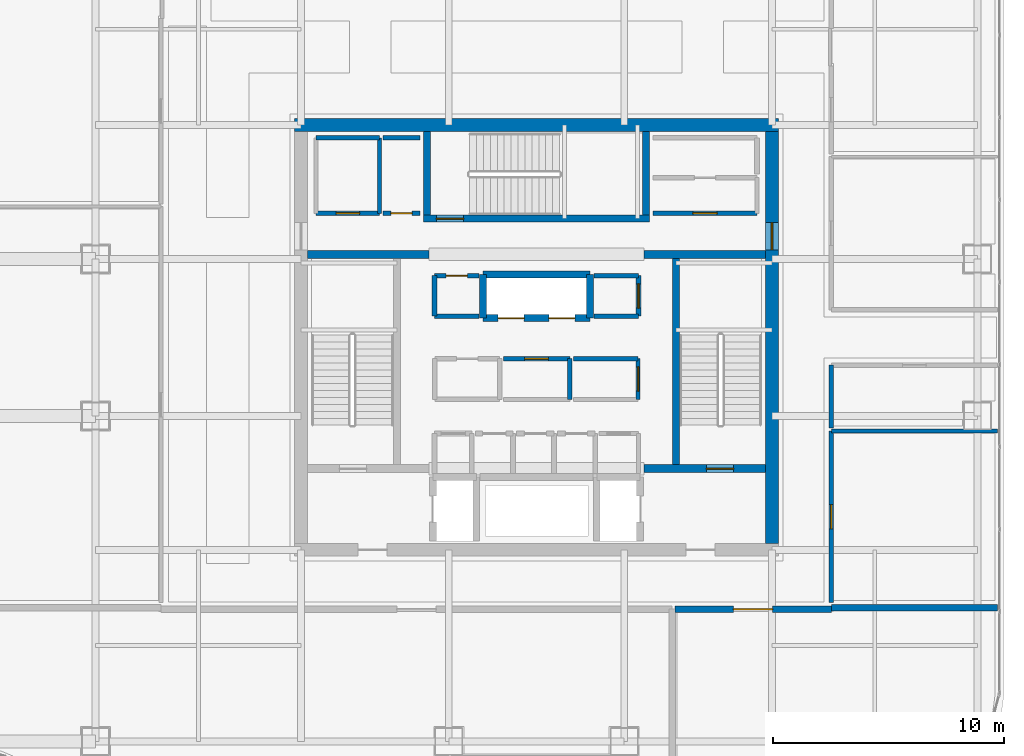
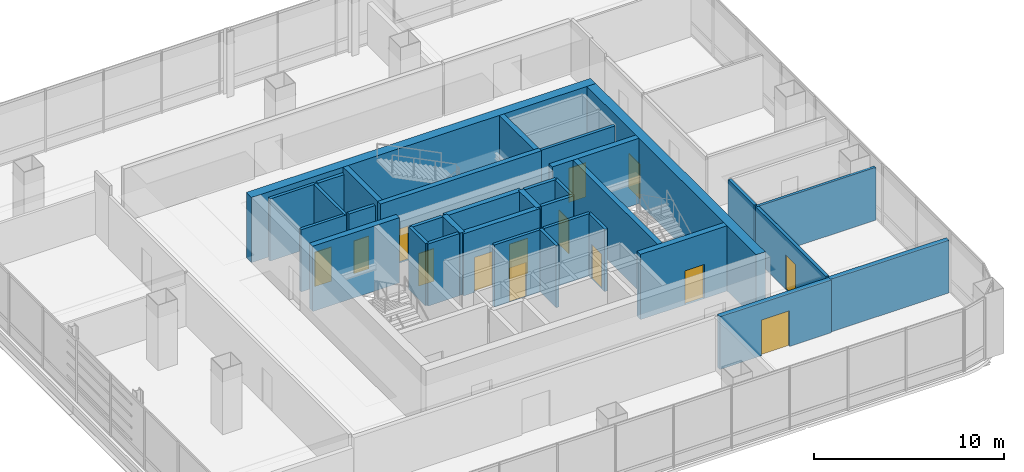
# One storey, part 35 of 42: 34 walls, 14 doors, 14 openings.
"""IFC4 building model written with IfcOpenShell, lengths in metres."""

from ifc_helpers import new_model, si_unit, direction, frame, frame_2d, origin, place, context, subcontext, project, spatial, rectangle, extrude, material, layer, layer_set, type_object, element, fill, save


model = new_model("IFC4")

# Units and contexts
model_context = context("Model", 3, precision=1e-05, world=origin(), true_north=direction((0.0, 1.0)))
body_context = subcontext(model_context, "Body", "Model", "MODEL_VIEW")
ifc_project = project(units=[si_unit("LENGTHUNIT", "METRE"), si_unit("AREAUNIT", "SQUARE_METRE"), si_unit("VOLUMEUNIT", "CUBIC_METRE"), si_unit("PLANEANGLEUNIT", "RADIAN"), si_unit("MASSUNIT", "GRAM", prefix="KILO")], contexts=[model_context])

# Site, building, storey
site_placement = place(None, origin())
site = spatial("IfcSite", under=ifc_project, at=site_placement, CompositionType="ELEMENT")
building_placement = place(site_placement, origin())
building = spatial("IfcBuilding", under=site, at=building_placement, Name="Punatoya Terracotta Tower", CompositionType="ELEMENT")
storey_placement = place(building_placement, frame((0.0, 0.0, 304.800048828125)))
storey = spatial("IfcBuildingStorey", under=building, at=storey_placement, Name="L72", CompositionType="ELEMENT", Elevation=304.800048828125)

# Wall
ifc_material_1 = material(Name="Concrete C40/50", Category="concrete")
ifc_layer_1 = layer(ifc_material_1, 0.280029296875)
ifc_layer_set_1 = layer_set([ifc_layer_1], Name="Concrete C40/50")
wall_type_1 = type_object("IfcWallType", Name="WL-AUD-280", PredefinedType="SOLIDWALL", material=ifc_layer_set_1)
wall_1_placement = place(storey_placement, frame((12.77001953125, -11.7099609375, 0.0), z_axis=(0.0, 0.0, 1.0), x_axis=(1.0, 0.0, 0.0)))
element("IfcWall", 1, at=wall_1_placement, inside=storey, type_object=wall_type_1, Name="L72 Open-Plan Executive Bistro Lounge Partition 42", PredefinedType="SOLIDWALL", context=body_context, shape_type="SweptSolid", body=[
    extrude(rectangle(XDim=7.199951171875, YDim=0.280029296875, at=frame_2d((3.60009765625, 0.0))), origin(), (0.0, 0.0, 1.0), 3.39404296875),
])

# Wall, opening, door
wall_2_placement = place(storey_placement, frame((5.993896484375, -11.77001953125, 0.0), z_axis=(0.0, 0.0, 1.0), x_axis=(1.0, 0.0, 0.0)))
wall_2 = element("IfcWall", 2, at=wall_2_placement, inside=storey, type_object=wall_type_1, Name="L72 Open-Plan Executive Bistro Lounge Partition 43", PredefinedType="SOLIDWALL", context=body_context, shape_type="SweptSolid", body=[
    extrude(rectangle(XDim=6.776123046875, YDim=0.280029296875, at=frame_2d((3.38818359375, 0.0))), origin(), (0.0, 0.0, 1.0), 3.39404296875),
])
opening_1_placement = place(wall_2_placement, frame((2.5380859375, 0.0, 0.0)))
opening_1 = element("IfcOpeningElement", 3, at=opening_1_placement, cuts=wall_2, Name="Opening FD-D1", PredefinedType="OPENING", context=body_context, shape_type="SweptSolid", body=[
    extrude(rectangle(XDim=1.699951171875, YDim=2.300048828125, at=frame_2d((0.85009765625, 1.14990234375))), frame((0.0, 0.14990234375, 0.0), z_axis=(0.0, -1.0, 0.0), x_axis=(1.0, 0.0, 0.0)), (0.0, 0.0, 1.0), 0.300048828125),
])
ifc_material_2 = material(Name="Timber Teak Veneer Fire Leaf", Category="wood")
door_type_1 = type_object("IfcDoorType", Name="DR-DIN-1700", OperationType="NOTDEFINED", PredefinedType="DOOR", material=ifc_material_2)
door_1_placement = place(opening_1_placement, origin())
door_1 = element("IfcDoor", 4, at=door_1_placement, inside=storey, type_object=door_type_1, Name="L72 Open-Plan Executive Bistro Lounge Fire Door", OperationType="DOUBLE_DOOR_SINGLE_SWING", OverallHeight=2.300048828125, OverallWidth=1.699951171875, PredefinedType="DOOR", context=body_context, shape_type="SweptSolid", body=[
    extrude(rectangle(XDim=1.699951171875, YDim=2.300048828125, at=frame_2d((0.85009765625, 1.14990234375))), frame((0.0, 0.02490234375, 0.0), z_axis=(0.0, -1.0, 0.0), x_axis=(1.0, 0.0, 0.0)), (0.0, 0.0, 1.0), 0.050048828125),
])
fill(opening_1, door_1)

# Wall
ifc_material_3 = material(Name="Concrete C50/60", Category="concrete")
ifc_layer_2 = layer(ifc_material_3, 0.550048828125)
ifc_layer_set_2 = layer_set([ifc_layer_2], Name="Concrete C50/60")
wall_type_2 = type_object("IfcWallType", Name="WL-COR-550", PredefinedType="SHEAR", material=ifc_layer_set_2)
wall_3_placement = place(storey_placement, frame((-10.47509765625, 9.199951171875, 0.0), z_axis=(0.0, 0.0, 1.0), x_axis=(1.0, 0.0, 0.0)))
element("IfcWall", 5, at=wall_3_placement, inside=storey, type_object=wall_type_2, Name="L72 Core Shear Wall N", PredefinedType="SHEAR", context=body_context, shape_type="SweptSolid", body=[
    extrude(rectangle(XDim=20.9501953125, YDim=0.550048828125, at=frame_2d((10.47509765625, 0.0))), origin(), (0.0, 0.0, 1.0), 4.199951171875),
])

# Wall, opening, door
wall_4_placement = place(storey_placement, frame((10.199951171875, 8.925048828125, 0.0), z_axis=(0.0, 0.0, 1.0), x_axis=(0.0, -1.0, 0.0)))
wall_4 = element("IfcWall", 6, at=wall_4_placement, inside=storey, type_object=wall_type_2, Name="L72 Core Shear Wall E", PredefinedType="SHEAR", context=body_context, shape_type="SweptSolid", body=[
    extrude(rectangle(XDim=17.85009765625, YDim=0.550048828125, at=frame_2d((8.925048828125, 0.0))), origin(), (0.0, 0.0, 1.0), 4.199951171875),
])
opening_2_placement = place(wall_4_placement, frame((3.955078125, 0.0, 0.0)))
opening_2 = element("IfcOpeningElement", 7, at=opening_2_placement, cuts=wall_4, Name="Opening SD-01", PredefinedType="OPENING", context=body_context, shape_type="SweptSolid", body=[
    extrude(rectangle(XDim=1.179931640625, YDim=2.199951171875, at=frame_2d((0.58984375, 1.10009765625))), frame((0.0, 0.284912109375, 0.0), z_axis=(0.0, -1.0, 0.0), x_axis=(1.0, 0.0, 0.0)), (0.0, 0.0, 1.0), 0.570068359375),
])
ifc_material_4 = material(Name="Galvanised Steel Pressurized Stair Fire Door", Category="steel")
door_type_2 = type_object("IfcDoorType", Name="DR-STR-1180", OperationType="NOTDEFINED", PredefinedType="DOOR", material=ifc_material_4)
door_2_placement = place(opening_2_placement, origin())
door_2 = element("IfcDoor", 8, at=door_2_placement, inside=storey, type_object=door_type_2, Name="L72 Central Lift Lobby East Fire Door", OperationType="SINGLE_SWING_RIGHT", OverallHeight=2.199951171875, OverallWidth=1.179931640625, PredefinedType="DOOR", context=body_context, shape_type="SweptSolid", body=[
    extrude(rectangle(XDim=1.179931640625, YDim=2.199951171875, at=frame_2d((0.58984375, 1.10009765625))), frame((0.0, 0.02490234375, 0.0), z_axis=(0.0, -1.0, 0.0), x_axis=(1.0, 0.0, 0.0)), (0.0, 0.0, 1.0), 0.050048828125),
])
fill(opening_2, door_2)

# Wall
ifc_material_5 = material(Name="Gypsum Fireboard + Steel Stud", Category="steel")
ifc_layer_3 = layer(ifc_material_5, 0.179931640625)
ifc_layer_set_3 = layer_set([ifc_layer_3], Name="Gypsum Fireboard + Steel Stud")
wall_type_3 = type_object("IfcWallType", Name="WL-CORR-180", PredefinedType="PARTITIONING", material=ifc_layer_set_3)
wall_5_placement = place(storey_placement, frame((1.43994140625, -2.679931640625, 0.0), z_axis=(0.0, 0.0, 1.0), x_axis=(0.0, 1.0, 0.0)))
element("IfcWall", 9, at=wall_5_placement, inside=storey, type_object=wall_type_3, Name="L72 Center Core Briefing Pod Partition 16", PredefinedType="PARTITIONING", context=body_context, shape_type="SweptSolid", body=[
    extrude(rectangle(XDim=1.760009765625, YDim=0.179931640625, at=frame_2d((0.8798828125, 0.0))), origin(), (0.0, 0.0, 1.0), 4.0),
])

# Wall, opening, door
wall_6_placement = place(storey_placement, frame((1.43994140625, -0.919921875, 0.0), z_axis=(0.0, 0.0, 1.0), x_axis=(-1.0, 0.0, 0.0)))
wall_6 = element("IfcWall", 10, at=wall_6_placement, inside=storey, type_object=wall_type_3, Name="L72 Center Core Briefing Pod Partition 17", PredefinedType="PARTITIONING", context=body_context, shape_type="SweptSolid", body=[
    extrude(rectangle(XDim=2.8798828125, YDim=0.179931640625, at=frame_2d((1.43994140625, 0.0))), origin(), (0.0, 0.0, 1.0), 4.0),
])
opening_3_placement = place(wall_6_placement, frame((0.929931640625, 0.0, 0.0)))
opening_3 = element("IfcOpeningElement", 11, at=opening_3_placement, cuts=wall_6, Name="Opening MD-01", PredefinedType="OPENING", context=body_context, shape_type="SweptSolid", body=[
    extrude(rectangle(XDim=1.02001953125, YDim=2.199951171875, at=frame_2d((0.510009765625, 1.10009765625))), frame((0.0, 0.099853515625, 0.0), z_axis=(0.0, -1.0, 0.0), x_axis=(1.0, 0.0, 0.0)), (0.0, 0.0, 1.0), 0.199951171875),
])
ifc_material_6 = material(Name="Aluminium + Acoustic Glass Leaf", Category="aluminium")
door_type_3 = type_object("IfcDoorType", Name="DR-MTG-1020", OperationType="NOTDEFINED", PredefinedType="DOOR", material=ifc_material_6)
door_3_placement = place(opening_3_placement, origin())
door_3 = element("IfcDoor", 12, at=door_3_placement, inside=storey, type_object=door_type_3, Name="L72 Center Briefing Pod Door", OperationType="SINGLE_SWING_RIGHT", OverallHeight=2.199951171875, OverallWidth=1.02001953125, PredefinedType="DOOR", context=body_context, shape_type="SweptSolid", body=[
    extrude(rectangle(XDim=1.02001953125, YDim=2.199951171875, at=frame_2d((0.510009765625, 1.10009765625))), frame((0.0, 0.02490234375, 0.0), z_axis=(0.0, -1.0, 0.0), x_axis=(1.0, 0.0, 0.0)), (0.0, 0.0, 1.0), 0.050048828125),
])
fill(opening_3, door_3)

wall_7_placement = place(storey_placement, frame((4.39990234375, -2.679931640625, 0.0), z_axis=(0.0, 0.0, 1.0), x_axis=(0.0, 1.0, 0.0)))
wall_7 = element("IfcWall", 13, at=wall_7_placement, inside=storey, type_object=wall_type_3, Name="L72 Right Core Copy Room Partition 19", PredefinedType="PARTITIONING", context=body_context, shape_type="SweptSolid", body=[
    extrude(rectangle(XDim=1.760009765625, YDim=0.179931640625, at=frame_2d((0.8798828125, 0.0))), origin(), (0.0, 0.0, 1.0), 4.0),
])
opening_4_placement = place(wall_7_placement, frame((0.35498046875, 0.0, 0.0)))
opening_4 = element("IfcOpeningElement", 14, at=opening_4_placement, cuts=wall_7, Name="Opening OD-01", PredefinedType="OPENING", context=body_context, shape_type="SweptSolid", body=[
    extrude(rectangle(XDim=1.050048828125, YDim=2.199951171875, at=frame_2d((0.52490234375, 1.10009765625))), frame((0.0, 0.099853515625, 0.0), z_axis=(0.0, -1.0, 0.0), x_axis=(1.0, 0.0, 0.0)), (0.0, 0.0, 1.0), 0.199951171875),
])
ifc_material_7 = material(Name="Bengal Teak Solid-Core Leaf")
door_type_4 = type_object("IfcDoorType", Name="DR-OFF-1050", OperationType="NOTDEFINED", PredefinedType="DOOR", material=ifc_material_7)
door_4_placement = place(opening_4_placement, origin())
door_4 = element("IfcDoor", 15, at=door_4_placement, inside=storey, type_object=door_type_4, Name="L72 Right Copy Room Door", OperationType="SINGLE_SWING_LEFT", OverallHeight=2.199951171875, OverallWidth=1.050048828125, PredefinedType="DOOR", context=body_context, shape_type="SweptSolid", body=[
    extrude(rectangle(XDim=1.050048828125, YDim=2.199951171875, at=frame_2d((0.52490234375, 1.10009765625))), frame((0.0, 0.02490234375, 0.0), z_axis=(0.0, -1.0, 0.0), x_axis=(1.0, 0.0, 0.0)), (0.0, 0.0, 1.0), 0.050048828125),
])
fill(opening_4, door_4)

# Walls
wall_8_placement = place(storey_placement, frame((4.39990234375, -0.919921875, 0.0), z_axis=(0.0, 0.0, 1.0), x_axis=(-1.0, 0.0, 0.0)))
element("IfcWall", 16, at=wall_8_placement, inside=storey, type_object=wall_type_3, Name="L72 Right Core Copy Room Partition 20", PredefinedType="PARTITIONING", context=body_context, shape_type="SweptSolid", body=[
    extrude(rectangle(XDim=2.7998046875, YDim=0.179931640625, at=frame_2d((1.39990234375, 0.0))), origin(), (0.0, 0.0, 1.0), 4.0),
])
wall_9_placement = place(storey_placement, frame((-6.800048828125, 5.3798828125, 0.0), z_axis=(0.0, 0.0, 1.0), x_axis=(0.0, 1.0, 0.0)))
element("IfcWall", 17, at=wall_9_placement, inside=storey, type_object=wall_type_3, Name="L72 West Core Briefing Pod Partition 28", PredefinedType="PARTITIONING", context=body_context, shape_type="SweptSolid", body=[
    extrude(rectangle(XDim=3.27001953125, YDim=0.179931640625, at=frame_2d((1.635009765625, 0.0))), origin(), (0.0, 0.0, 1.0), 4.0),
])
wall_10_placement = place(storey_placement, frame((-6.800048828125, 8.64990234375, 0.0), z_axis=(0.0, 0.0, 1.0), x_axis=(-1.0, 0.0, 0.0)))
element("IfcWall", 18, at=wall_10_placement, inside=storey, type_object=wall_type_3, Name="L72 West Core Briefing Pod Partition 29", PredefinedType="PARTITIONING", context=body_context, shape_type="SweptSolid", body=[
    extrude(rectangle(XDim=2.75, YDim=0.179931640625, at=frame_2d((1.375, 0.0))), origin(), (0.0, 0.0, 1.0), 4.0),
])

# Wall, opening, door
wall_11_placement = place(storey_placement, frame((-9.550048828125, 5.3798828125, 0.0), z_axis=(0.0, 0.0, 1.0), x_axis=(1.0, 0.0, 0.0)))
wall_11 = element("IfcWall", 19, at=wall_11_placement, inside=storey, type_object=wall_type_3, Name="L72 West Core Briefing Pod Partition 31", PredefinedType="PARTITIONING", context=body_context, shape_type="SweptSolid", body=[
    extrude(rectangle(XDim=2.75, YDim=0.179931640625, at=frame_2d((1.375, 0.0))), origin(), (0.0, 0.0, 1.0), 4.0),
])
opening_5_placement = place(wall_11_placement, frame((0.864990234375, 0.0, 0.0)))
opening_5 = element("IfcOpeningElement", 20, at=opening_5_placement, cuts=wall_11, Name="Opening MD-01", PredefinedType="OPENING", context=body_context, shape_type="SweptSolid", body=[
    extrude(rectangle(XDim=1.02001953125, YDim=2.199951171875, at=frame_2d((0.510009765625, 1.10009765625))), frame((0.0, 0.099853515625, 0.0), z_axis=(0.0, -1.0, 0.0), x_axis=(1.0, 0.0, 0.0)), (0.0, 0.0, 1.0), 0.199951171875),
])
door_5_placement = place(opening_5_placement, origin())
door_5 = element("IfcDoor", 21, at=door_5_placement, inside=storey, type_object=door_type_3, Name="L72 West Briefing Pod Door", OperationType="SINGLE_SWING_RIGHT", OverallHeight=2.199951171875, OverallWidth=1.02001953125, PredefinedType="DOOR", context=body_context, shape_type="SweptSolid", body=[
    extrude(rectangle(XDim=1.02001953125, YDim=2.199951171875, at=frame_2d((0.510009765625, 1.10009765625))), frame((0.0, 0.02490234375, 0.0), z_axis=(0.0, -1.0, 0.0), x_axis=(1.0, 0.0, 0.0)), (0.0, 0.0, 1.0), 0.050048828125),
])
fill(opening_5, door_5)

wall_12_placement = place(storey_placement, frame((5.050048828125, 5.3798828125, 0.0), z_axis=(0.0, 0.0, 1.0), x_axis=(1.0, 0.0, 0.0)))
wall_12 = element("IfcWall", 22, at=wall_12_placement, inside=storey, type_object=wall_type_3, Name="L72 East Core Reference Room Partition 36", PredefinedType="PARTITIONING", context=body_context, shape_type="SweptSolid", body=[
    extrude(rectangle(XDim=4.5, YDim=0.179931640625, at=frame_2d((2.25, 0.0))), origin(), (0.0, 0.0, 1.0), 4.0),
])
opening_6_placement = place(wall_12_placement, frame((1.72509765625, 0.0, 0.0)))
opening_6 = element("IfcOpeningElement", 23, at=opening_6_placement, cuts=wall_12, Name="Opening OD-01", PredefinedType="OPENING", context=body_context, shape_type="SweptSolid", body=[
    extrude(rectangle(XDim=1.050048828125, YDim=2.199951171875, at=frame_2d((0.52490234375, 1.10009765625))), frame((0.0, 0.099853515625, 0.0), z_axis=(0.0, -1.0, 0.0), x_axis=(1.0, 0.0, 0.0)), (0.0, 0.0, 1.0), 0.199951171875),
])
door_6_placement = place(opening_6_placement, origin())
door_6 = element("IfcDoor", 24, at=door_6_placement, inside=storey, type_object=door_type_4, Name="L72 East Reference Room Door", OperationType="SINGLE_SWING_RIGHT", OverallHeight=2.199951171875, OverallWidth=1.050048828125, PredefinedType="DOOR", context=body_context, shape_type="SweptSolid", body=[
    extrude(rectangle(XDim=1.050048828125, YDim=2.199951171875, at=frame_2d((0.52490234375, 1.10009765625))), frame((0.0, 0.02490234375, 0.0), z_axis=(0.0, -1.0, 0.0), x_axis=(1.0, 0.0, 0.0)), (0.0, 0.0, 1.0), 0.050048828125),
])
fill(opening_6, door_6)

wall_13_placement = place(storey_placement, frame((12.77001953125, -11.489990234375, 0.0), z_axis=(0.0, 0.0, 1.0), x_axis=(0.0, 1.0, 0.0)))
wall_13 = element("IfcWall", 25, at=wall_13_placement, inside=storey, type_object=wall_type_3, Name="L72 Catering Tea Pantry Partition 45", PredefinedType="PARTITIONING", context=body_context, shape_type="SweptSolid", body=[
    extrude(rectangle(XDim=7.43994140625, YDim=0.179931640625, at=frame_2d((3.719970703125, 0.0))), origin(), (0.0, 0.0, 1.0), 3.39404296875),
])
opening_7_placement = place(wall_13_placement, frame((3.195068359375, 0.0, 0.0)))
opening_7 = element("IfcOpeningElement", 26, at=opening_7_placement, cuts=wall_13, Name="Opening OD-01", PredefinedType="OPENING", context=body_context, shape_type="SweptSolid", body=[
    extrude(rectangle(XDim=1.050048828125, YDim=2.199951171875, at=frame_2d((0.52490234375, 1.10009765625))), frame((0.0, 0.099853515625, 0.0), z_axis=(0.0, -1.0, 0.0), x_axis=(1.0, 0.0, 0.0)), (0.0, 0.0, 1.0), 0.199951171875),
])
door_7_placement = place(opening_7_placement, origin())
door_7 = element("IfcDoor", 27, at=door_7_placement, inside=storey, type_object=door_type_4, Name="L72 Catering Tea Pantry Door", OperationType="SINGLE_SWING_RIGHT", OverallHeight=2.199951171875, OverallWidth=1.050048828125, PredefinedType="DOOR", context=body_context, shape_type="SweptSolid", body=[
    extrude(rectangle(XDim=1.050048828125, YDim=2.199951171875, at=frame_2d((0.52490234375, 1.10009765625))), frame((0.0, 0.02490234375, 0.0), z_axis=(0.0, -1.0, 0.0), x_axis=(1.0, 0.0, 0.0)), (0.0, 0.0, 1.0), 0.050048828125),
])
fill(opening_7, door_7)

# Wall
wall_14_placement = place(storey_placement, frame((12.77001953125, -3.929931640625, 0.0), z_axis=(0.0, 0.0, 1.0), x_axis=(0.0, 1.0, 0.0)))
element("IfcWall", 28, at=wall_14_placement, inside=storey, type_object=wall_type_3, Name="L72 Open-Plan Private Dining Boardroom Partition 49", PredefinedType="PARTITIONING", context=body_context, shape_type="SweptSolid", body=[
    extrude(rectangle(XDim=2.72998046875, YDim=0.179931640625, at=frame_2d((1.364990234375, 0.0))), origin(), (0.0, 0.0, 1.0), 3.39404296875),
])

# Wall, opening, door
ifc_layer_4 = layer(ifc_material_1, 0.199951171875)
ifc_layer_set_4 = layer_set([ifc_layer_4], Name="Concrete C40/50")
wall_type_4 = type_object("IfcWallType", Name="WL-INT-200", PredefinedType="SOLIDWALL", material=ifc_layer_set_4)
wall_15_placement = place(storey_placement, frame((-2.5, 2.679931640625, 0.0), z_axis=(0.0, 0.0, 1.0), x_axis=(-1.0, 0.0, 0.0)))
wall_15 = element("IfcWall", 29, at=wall_15_placement, inside=storey, type_object=wall_type_4, Name="L72 Core Security Equipment Closet Partition 22", PredefinedType="SOLIDWALL", context=body_context, shape_type="SweptSolid", body=[
    extrude(rectangle(XDim=1.919921875, YDim=0.199951171875, at=frame_2d((0.9599609375, 0.0))), origin(), (0.0, 0.0, 1.0), 4.0),
])
opening_8_placement = place(wall_15_placement, frame((0.5, 0.0, 0.0)))
opening_8 = element("IfcOpeningElement", 30, at=opening_8_placement, cuts=wall_15, Name="Opening FD-R1", PredefinedType="OPENING", context=body_context, shape_type="SweptSolid", body=[
    extrude(rectangle(XDim=0.919921875, YDim=2.10009765625, at=frame_2d((0.4599609375, 1.050048828125))), frame((0.0, 0.10986328125, 0.0), z_axis=(0.0, -1.0, 0.0), x_axis=(1.0, 0.0, 0.0)), (0.0, 0.0, 1.0), 0.219970703125),
])
ifc_material_8 = material(Name="Galvanised Steel Riser Fire Access Door", Category="steel")
door_type_5 = type_object("IfcDoorType", Name="DR-RSR-920", OperationType="NOTDEFINED", PredefinedType="DOOR", material=ifc_material_8)
door_8_placement = place(opening_8_placement, origin())
door_8 = element("IfcDoor", 31, at=door_8_placement, inside=storey, type_object=door_type_5, Name="L72 Core Security Equipment Closet Fire Door", OperationType="SINGLE_SWING_RIGHT", OverallHeight=2.10009765625, OverallWidth=0.919921875, PredefinedType="DOOR", context=body_context, shape_type="SweptSolid", body=[
    extrude(rectangle(XDim=0.919921875, YDim=2.10009765625, at=frame_2d((0.4599609375, 1.050048828125))), frame((0.0, 0.02490234375, 0.0), z_axis=(0.0, -1.0, 0.0), x_axis=(1.0, 0.0, 0.0)), (0.0, 0.0, 1.0), 0.050048828125),
])
fill(opening_8, door_8)

# Walls
wall_16_placement = place(storey_placement, frame((-4.419921875, 2.679931640625, 0.0), z_axis=(0.0, 0.0, 1.0), x_axis=(0.0, -1.0, 0.0)))
element("IfcWall", 32, at=wall_16_placement, inside=storey, type_object=wall_type_4, Name="L72 Core Security Equipment Closet Partition 23", PredefinedType="SOLIDWALL", context=body_context, shape_type="SweptSolid", body=[
    extrude(rectangle(XDim=1.760009765625, YDim=0.199951171875, at=frame_2d((0.8798828125, 0.0))), origin(), (0.0, 0.0, 1.0), 4.0),
])
wall_17_placement = place(storey_placement, frame((-4.419921875, 0.919921875, 0.0), z_axis=(0.0, 0.0, 1.0), x_axis=(1.0, 0.0, 0.0)))
element("IfcWall", 33, at=wall_17_placement, inside=storey, type_object=wall_type_4, Name="L72 Core Security Equipment Closet Partition 24", PredefinedType="SOLIDWALL", context=body_context, shape_type="SweptSolid", body=[
    extrude(rectangle(XDim=1.919921875, YDim=0.199951171875, at=frame_2d((0.9599609375, 0.0))), origin(), (0.0, 0.0, 1.0), 4.0),
])

# Wall, opening, door
wall_18_placement = place(storey_placement, frame((4.419921875, 0.919921875, 0.0), z_axis=(0.0, 0.0, 1.0), x_axis=(0.0, 1.0, 0.0)))
wall_18 = element("IfcWall", 34, at=wall_18_placement, inside=storey, type_object=wall_type_4, Name="L72 Executive Steward Pantry Partition 25", PredefinedType="SOLIDWALL", context=body_context, shape_type="SweptSolid", body=[
    extrude(rectangle(XDim=1.760009765625, YDim=0.199951171875, at=frame_2d((0.8798828125, 0.0))), origin(), (0.0, 0.0, 1.0), 4.0),
])
opening_9_placement = place(wall_18_placement, frame((0.35498046875, 0.0, 0.0)))
opening_9 = element("IfcOpeningElement", 35, at=opening_9_placement, cuts=wall_18, Name="Opening OD-01", PredefinedType="OPENING", context=body_context, shape_type="SweptSolid", body=[
    extrude(rectangle(XDim=1.050048828125, YDim=2.199951171875, at=frame_2d((0.52490234375, 1.10009765625))), frame((0.0, 0.10986328125, 0.0), z_axis=(0.0, -1.0, 0.0), x_axis=(1.0, 0.0, 0.0)), (0.0, 0.0, 1.0), 0.219970703125),
])
door_9_placement = place(opening_9_placement, origin())
door_9 = element("IfcDoor", 36, at=door_9_placement, inside=storey, type_object=door_type_4, Name="L72 Executive Steward Pantry Door", OperationType="SINGLE_SWING_LEFT", OverallHeight=2.199951171875, OverallWidth=1.050048828125, PredefinedType="DOOR", context=body_context, shape_type="SweptSolid", body=[
    extrude(rectangle(XDim=1.050048828125, YDim=2.199951171875, at=frame_2d((0.52490234375, 1.10009765625))), frame((0.0, 0.02490234375, 0.0), z_axis=(0.0, -1.0, 0.0), x_axis=(1.0, 0.0, 0.0)), (0.0, 0.0, 1.0), 0.050048828125),
])
fill(opening_9, door_9)

# Walls
for number, where, z_axis, x_axis, name in (
    (37, (4.419921875, 2.679931640625, 0.0), (0.0, 0.0, 1.0), (-1.0, 0.0, 0.0), "L72 Executive Steward Pantry Partition 26"),
    (38, (2.5, 0.919921875, 0.0), (0.0, 0.0, 1.0), (1.0, 0.0, 0.0), "L72 Executive Steward Pantry Partition 27"),
):
    element("IfcWall", number, at=place(storey_placement, frame(where, z_axis=z_axis, x_axis=x_axis)), inside=storey, type_object=wall_type_4, Name=name, PredefinedType="SOLIDWALL", context=body_context, shape_type="SweptSolid", body=[
        extrude(rectangle(XDim=1.919921875, YDim=0.199951171875, at=frame_2d((0.9599609375, 0.0))), origin(), (0.0, 0.0, 1.0), 4.0),
    ])
wall_19_placement = place(storey_placement, frame((-5.050048828125, 8.64990234375, 0.0), z_axis=(0.0, 0.0, 1.0), x_axis=(-1.0, 0.0, 0.0)))
element("IfcWall", 39, at=wall_19_placement, inside=storey, type_object=wall_type_4, Name="L72 West Core Supply Store Partition 32", PredefinedType="SOLIDWALL", context=body_context, shape_type="SweptSolid", body=[
    extrude(rectangle(XDim=1.58984375, YDim=0.199951171875, at=frame_2d((0.794921875, 0.0))), origin(), (0.0, 0.0, 1.0), 4.0),
])

# Wall, opening, door
wall_20_placement = place(storey_placement, frame((-6.639892578125, 5.3798828125, 0.0), z_axis=(0.0, 0.0, 1.0), x_axis=(1.0, 0.0, 0.0)))
wall_20 = element("IfcWall", 40, at=wall_20_placement, inside=storey, type_object=wall_type_4, Name="L72 West Core Supply Store Partition 33", PredefinedType="SOLIDWALL", context=body_context, shape_type="SweptSolid", body=[
    extrude(rectangle(XDim=1.58984375, YDim=0.199951171875, at=frame_2d((0.794921875, 0.0))), origin(), (0.0, 0.0, 1.0), 4.0),
])
opening_10_placement = place(wall_20_placement, frame((0.3349609375, 0.0, 0.0)))
opening_10 = element("IfcOpeningElement", 41, at=opening_10_placement, cuts=wall_20, Name="Opening FD-R1", PredefinedType="OPENING", context=body_context, shape_type="SweptSolid", body=[
    extrude(rectangle(XDim=0.919921875, YDim=2.10009765625, at=frame_2d((0.4599609375, 1.050048828125))), frame((0.0, 0.10986328125, 0.0), z_axis=(0.0, -1.0, 0.0), x_axis=(1.0, 0.0, 0.0)), (0.0, 0.0, 1.0), 0.219970703125),
])
door_10_placement = place(opening_10_placement, origin())
door_10 = element("IfcDoor", 42, at=door_10_placement, inside=storey, type_object=door_type_5, Name="L72 West Core Supply Store Fire Door", OperationType="SINGLE_SWING_LEFT", OverallHeight=2.10009765625, OverallWidth=0.919921875, PredefinedType="DOOR", context=body_context, shape_type="SweptSolid", body=[
    extrude(rectangle(XDim=0.919921875, YDim=2.10009765625, at=frame_2d((0.4599609375, 1.050048828125))), frame((0.0, 0.02490234375, 0.0), z_axis=(0.0, -1.0, 0.0), x_axis=(1.0, 0.0, 0.0)), (0.0, 0.0, 1.0), 0.050048828125),
])
fill(opening_10, door_10)

# Walls
ifc_layer_5 = layer(ifc_material_1, 0.300048828125)
ifc_layer_set_5 = layer_set([ifc_layer_5], Name="Concrete C40/50")
wall_type_5 = type_object("IfcWallType", Name="WL-SHF-300", PredefinedType="SOLIDWALL", material=ifc_layer_set_5)
wall_21_placement = place(storey_placement, frame((6.050048828125, 3.449951171875, 0.0), z_axis=(0.0, 0.0, 1.0), x_axis=(0.0, -1.0, 0.0)))
element("IfcWall", 43, at=wall_21_placement, inside=storey, type_object=wall_type_5, Name="L72 Structural Stair Shaft Wall SW-ST2-W", PredefinedType="SOLIDWALL", context=body_context, shape_type="SweptSolid", body=[
    extrude(rectangle(XDim=8.949951171875, YDim=0.300048828125, at=frame_2d((4.47509765625, 0.0))), origin(), (0.0, 0.0, 1.0), 4.199951171875),
])
for number, where, z_axis, x_axis, name in (
    (44, (-4.75, 5.300048828125, 0.0), (0.0, 0.0, 1.0), (0.0, 1.0, 0.0), "L72 Structural Stair Shaft Wall SW-ST3-W"),
    (45, (4.75, 8.925048828125, 0.0), (0.0, 0.0, 1.0), (0.0, -1.0, 0.0), "L72 Structural Stair Shaft Wall SW-ST3-E"),
):
    element("IfcWall", number, at=place(storey_placement, frame(where, z_axis=z_axis, x_axis=x_axis)), inside=storey, type_object=wall_type_5, Name=name, PredefinedType="SOLIDWALL", context=body_context, shape_type="SweptSolid", body=[
        extrude(rectangle(XDim=3.625, YDim=0.300048828125, at=frame_2d((1.8125, 0.0))), origin(), (0.0, 0.0, 1.0), 4.199951171875),
    ])

# Wall, opening, door
wall_22_placement = place(storey_placement, frame((-4.89990234375, 5.14990234375, 0.0), z_axis=(0.0, 0.0, 1.0), x_axis=(1.0, 0.0, 0.0)))
wall_22 = element("IfcWall", 46, at=wall_22_placement, inside=storey, type_object=wall_type_5, Name="L72 Structural Stair Shaft Wall SW-ST3-S", PredefinedType="SOLIDWALL", context=body_context, shape_type="SweptSolid", body=[
    extrude(rectangle(XDim=9.7998046875, YDim=0.300048828125, at=frame_2d((4.89990234375, 0.0))), origin(), (0.0, 0.0, 1.0), 4.199951171875),
])
opening_11_placement = place(wall_22_placement, frame((0.56005859375, 0.0, 0.0)))
opening_11 = element("IfcOpeningElement", 47, at=opening_11_placement, cuts=wall_22, Name="Opening SD-01", PredefinedType="OPENING", context=body_context, shape_type="SweptSolid", body=[
    extrude(rectangle(XDim=1.179931640625, YDim=2.199951171875, at=frame_2d((0.58984375, 1.10009765625))), frame((0.0, 0.159912109375, 0.0), z_axis=(0.0, -1.0, 0.0), x_axis=(1.0, 0.0, 0.0)), (0.0, 0.0, 1.0), 0.320068359375),
])
door_11_placement = place(opening_11_placement, origin())
door_11 = element("IfcDoor", 48, at=door_11_placement, inside=storey, type_object=door_type_2, Name="L72 Stair ST-3 Core Lobby Fire Door", OperationType="SINGLE_SWING_LEFT", OverallHeight=2.199951171875, OverallWidth=1.179931640625, PredefinedType="DOOR", context=body_context, shape_type="SweptSolid", body=[
    extrude(rectangle(XDim=1.179931640625, YDim=2.199951171875, at=frame_2d((0.58984375, 1.10009765625))), frame((0.0, 0.02490234375, 0.0), z_axis=(0.0, -1.0, 0.0), x_axis=(1.0, 0.0, 0.0)), (0.0, 0.0, 1.0), 0.050048828125),
])
fill(opening_11, door_11)

# Wall, openings, doors
wall_23_placement = place(storey_placement, frame((-2.320068359375, 0.840087890625, 0.0), z_axis=(0.0, 0.0, 1.0), x_axis=(1.0, 0.0, 0.0)))
wall_23 = element("IfcWall", 49, at=wall_23_placement, inside=storey, type_object=wall_type_5, Name="L72 North Lift Bank Front Shaft Wall", PredefinedType="SOLIDWALL", context=body_context, shape_type="SweptSolid", body=[
    extrude(rectangle(XDim=4.64013671875, YDim=0.300048828125, at=frame_2d((2.320068359375, 0.0))), origin(), (0.0, 0.0, 1.0), 4.0),
])
opening_12_placement = place(wall_23_placement, frame((0.659912109375, 0.0, 0.0)))
opening_12 = element("IfcOpeningElement", 50, at=opening_12_placement, cuts=wall_23, Name="Opening LD-02", PredefinedType="OPENING", context=body_context, shape_type="SweptSolid", body=[
    extrude(rectangle(XDim=1.1201171875, YDim=2.25, at=frame_2d((0.56005859375, 1.125))), frame((0.0, 0.159912109375, 0.0), z_axis=(0.0, -1.0, 0.0), x_axis=(1.0, 0.0, 0.0)), (0.0, 0.0, 1.0), 0.320068359375),
])
opening_13_placement = place(wall_23_placement, frame((2.860107421875, 0.0, 0.0)))
opening_13 = element("IfcOpeningElement", 51, at=opening_13_placement, cuts=wall_23, Name="Opening LD-02", PredefinedType="OPENING", context=body_context, shape_type="SweptSolid", body=[
    extrude(rectangle(XDim=1.1201171875, YDim=2.25, at=frame_2d((0.56005859375, 1.125))), frame((0.0, 0.159912109375, 0.0), z_axis=(0.0, -1.0, 0.0), x_axis=(1.0, 0.0, 0.0)), (0.0, 0.0, 1.0), 0.320068359375),
])
ifc_material_9 = material(Name="Stainless Steel Lift Landing Door", Category="steel")
door_type_6 = type_object("IfcDoorType", Name="DR-LND-1120", OperationType="NOTDEFINED", PredefinedType="DOOR", material=ifc_material_9)
door_12_placement = place(opening_12_placement, origin())
door_12 = element("IfcDoor", 52, at=door_12_placement, inside=storey, type_object=door_type_6, Name="L72 Lift PL-E1 Sliding Landing Door", OperationType="DOUBLE_DOOR_SLIDING", OverallHeight=2.25, OverallWidth=1.1201171875, PredefinedType="DOOR", context=body_context, shape_type="SweptSolid", body=[
    extrude(rectangle(XDim=1.1201171875, YDim=2.25, at=frame_2d((0.56005859375, 1.125))), frame((0.0, 0.02490234375, 0.0), z_axis=(0.0, -1.0, 0.0), x_axis=(1.0, 0.0, 0.0)), (0.0, 0.0, 1.0), 0.050048828125),
])
fill(opening_12, door_12)
door_13_placement = place(opening_13_placement, origin())
door_13 = element("IfcDoor", 53, at=door_13_placement, inside=storey, type_object=door_type_6, Name="L72 Lift PL-E2 Sliding Landing Door", OperationType="DOUBLE_DOOR_SLIDING", OverallHeight=2.25, OverallWidth=1.1201171875, PredefinedType="DOOR", context=body_context, shape_type="SweptSolid", body=[
    extrude(rectangle(XDim=1.1201171875, YDim=2.25, at=frame_2d((0.56005859375, 1.125))), frame((0.0, 0.02490234375, 0.0), z_axis=(0.0, -1.0, 0.0), x_axis=(1.0, 0.0, 0.0)), (0.0, 0.0, 1.0), 0.050048828125),
])
fill(opening_13, door_13)

# Walls
wall_24_placement = place(storey_placement, frame((-2.320068359375, 2.719970703125, 0.0), z_axis=(0.0, 0.0, 1.0), x_axis=(1.0, 0.0, 0.0)))
element("IfcWall", 54, at=wall_24_placement, inside=storey, type_object=wall_type_5, Name="L72 North Lift Bank Rear Shaft Wall", PredefinedType="SOLIDWALL", context=body_context, shape_type="SweptSolid", body=[
    extrude(rectangle(XDim=4.64013671875, YDim=0.300048828125, at=frame_2d((2.320068359375, 0.0))), origin(), (0.0, 0.0, 1.0), 4.0),
])
for number, where, z_axis, x_axis, name in (
    (55, (-2.320068359375, 0.840087890625, 0.0), (0.0, 0.0, 1.0), (0.0, 1.0, 0.0), "L72 North Lift Bank West End Wall"),
    (56, (2.320068359375, 0.840087890625, 0.0), (0.0, 0.0, 1.0), (0.0, 1.0, 0.0), "L72 North Lift Bank East End Wall"),
):
    element("IfcWall", number, at=place(storey_placement, frame(where, z_axis=z_axis, x_axis=x_axis)), inside=storey, type_object=wall_type_5, Name=name, PredefinedType="SOLIDWALL", context=body_context, shape_type="SweptSolid", body=[
        extrude(rectangle(XDim=1.8798828125, YDim=0.300048828125, at=frame_2d((0.93994140625, 0.0))), origin(), (0.0, 0.0, 1.0), 4.0),
    ])

# Wall, opening, door
ifc_layer_6 = layer(ifc_material_3, 0.35009765625)
ifc_layer_set_6 = layer_set([ifc_layer_6], Name="Concrete C50/60")
wall_type_6 = type_object("IfcWallType", Name="WL-SHF-350", PredefinedType="SOLIDWALL", material=ifc_layer_set_6)
wall_25_placement = place(storey_placement, frame((4.64990234375, -5.679931640625, 0.0), z_axis=(0.0, 0.0, 1.0), x_axis=(1.0, 0.0, 0.0)))
wall_25 = element("IfcWall", 57, at=wall_25_placement, inside=storey, type_object=wall_type_6, Name="L72 Core Web Wall CSW-R", PredefinedType="SOLIDWALL", context=body_context, shape_type="SweptSolid", body=[
    extrude(rectangle(XDim=5.275146484375, YDim=0.35009765625, at=frame_2d((2.6376953125, 0.0))), origin(), (0.0, 0.0, 1.0), 4.199951171875),
])
opening_14_placement = place(wall_25_placement, frame((2.7099609375, 0.0, 0.0)))
opening_14 = element("IfcOpeningElement", 58, at=opening_14_placement, cuts=wall_25, Name="Opening SD-01", PredefinedType="OPENING", context=body_context, shape_type="SweptSolid", body=[
    extrude(rectangle(XDim=1.179931640625, YDim=2.199951171875, at=frame_2d((0.58984375, 1.10009765625))), frame((0.0, 0.18505859375, 0.0), z_axis=(0.0, -1.0, 0.0), x_axis=(1.0, 0.0, 0.0)), (0.0, 0.0, 1.0), 0.3701171875),
])
door_14_placement = place(opening_14_placement, origin())
door_14 = element("IfcDoor", 59, at=door_14_placement, inside=storey, type_object=door_type_2, Name="L72 Stair ST-2 Smokeproof Lobby Fire Door", OperationType="SINGLE_SWING_RIGHT", OverallHeight=2.199951171875, OverallWidth=1.179931640625, PredefinedType="DOOR", context=body_context, shape_type="SweptSolid", body=[
    extrude(rectangle(XDim=1.179931640625, YDim=2.199951171875, at=frame_2d((0.58984375, 1.10009765625))), frame((0.0, 0.02490234375, 0.0), z_axis=(0.0, -1.0, 0.0), x_axis=(1.0, 0.0, 0.0)), (0.0, 0.0, 1.0), 0.050048828125),
])
fill(opening_14, door_14)

# Walls
for number, where, z_axis, x_axis, name in (
    (60, (-9.925048828125, 3.60009765625, 0.0), (0.0, 0.0, 1.0), (1.0, 0.0, 0.0), "L72 Core Web Wall CNW-L"),
    (61, (4.64990234375, 3.60009765625, 0.0), (0.0, 0.0, 1.0), (1.0, 0.0, 0.0), "L72 Core Web Wall CNW-R"),
):
    element("IfcWall", number, at=place(storey_placement, frame(where, z_axis=z_axis, x_axis=x_axis)), inside=storey, type_object=wall_type_6, Name=name, PredefinedType="SOLIDWALL", context=body_context, shape_type="SweptSolid", body=[
        extrude(rectangle(XDim=5.275146484375, YDim=0.35009765625, at=frame_2d((2.6376953125, 0.0))), origin(), (0.0, 0.0, 1.0), 4.199951171875),
    ])
ifc_material_10 = material(Name="Masonry Blockwork + Ceramic Tile", Category="masonry")
ifc_layer_7 = layer(ifc_material_10, 0.159912109375)
ifc_layer_set_7 = layer_set([ifc_layer_7], Name="Masonry Blockwork + Ceramic Tile")
wall_type_7 = type_object("IfcWallType", Name="WL-WET-160", PredefinedType="PARTITIONING", material=ifc_layer_set_7)
wall_26_placement = place(storey_placement, frame((12.77001953125, -4.050048828125, 0.0), z_axis=(0.0, 0.0, 1.0), x_axis=(1.0, 0.0, 0.0)))
element("IfcWall", 62, at=wall_26_placement, inside=storey, type_object=wall_type_7, Name="L72 Catering Tea Pantry Partition 44", PredefinedType="PARTITIONING", context=body_context, shape_type="SweptSolid", body=[
    extrude(rectangle(XDim=7.199951171875, YDim=0.159912109375, at=frame_2d((3.60009765625, 0.0))), origin(), (0.0, 0.0, 1.0), 3.39404296875),
])

save(model, "model.ifc")
